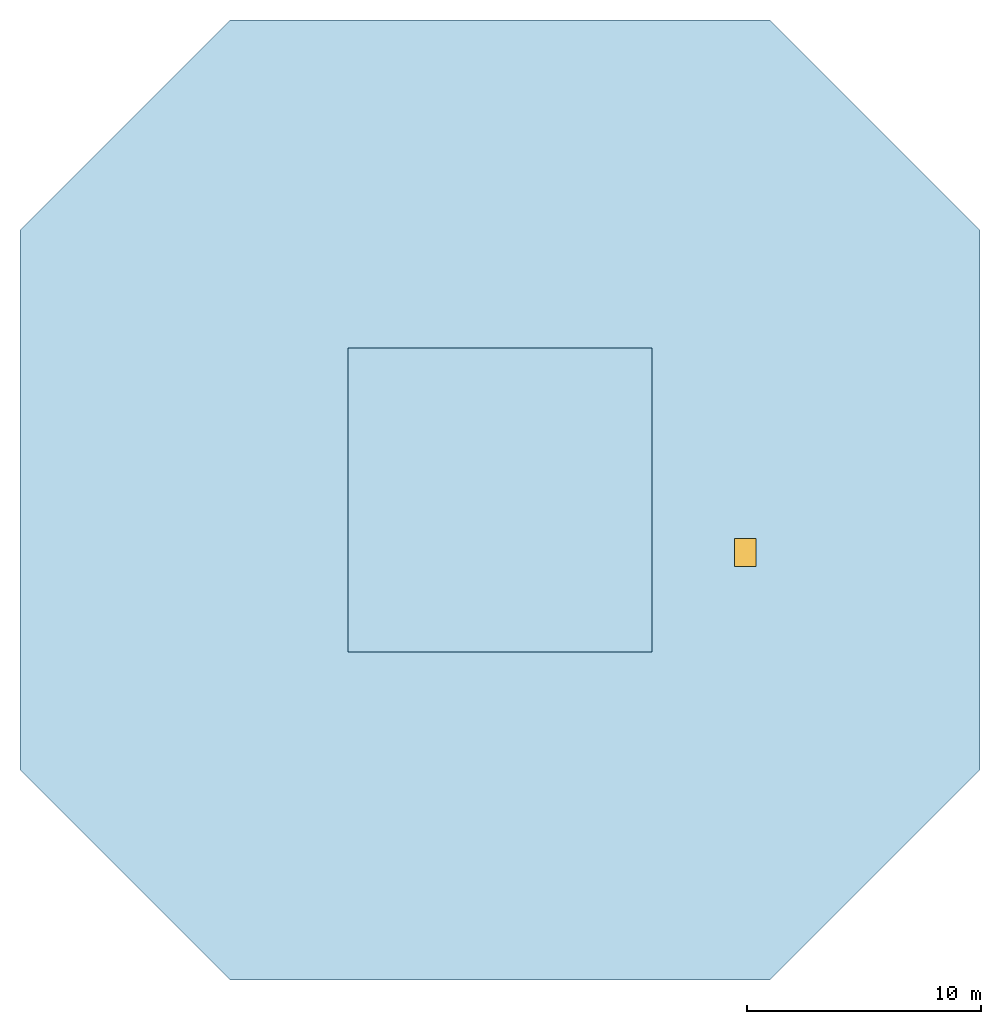
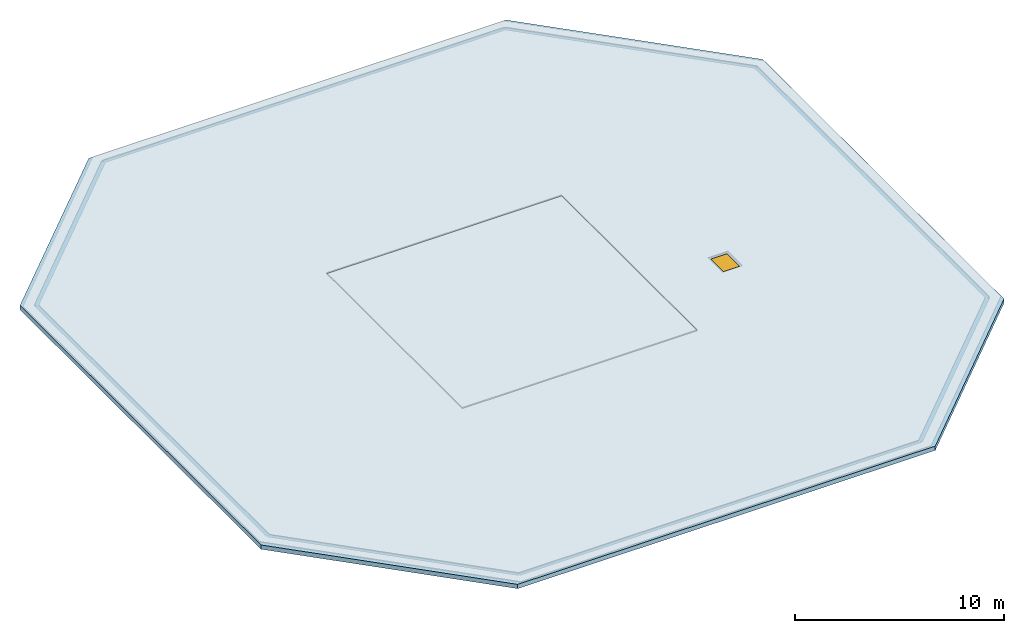
# One storey, part 1 of 2: 2 slabs, 1 window, 1 opening.
"""IFC4 building model written with IfcOpenShell, lengths in metres."""

from ifc_helpers import new_model, si_unit, direction, frame, origin, origin_2d, place, context, subcontext, project, spatial, polyline, rectangle, outline, extrude, material, layer, layer_set, type_object, element, fill, save


model = new_model("IFC4")

# Units and contexts
model_context = context("Model", 3, precision=1e-05, world=origin(), true_north=direction((0.0, 1.0)))
body_context = subcontext(model_context, "Body", "Model", "MODEL_VIEW")
ifc_project = project(units=[si_unit("LENGTHUNIT", "METRE"), si_unit("AREAUNIT", "SQUARE_METRE"), si_unit("VOLUMEUNIT", "CUBIC_METRE"), si_unit("PLANEANGLEUNIT", "RADIAN"), si_unit("MASSUNIT", "GRAM", prefix="KILO")], contexts=[model_context])

# Site, building, storey
site_placement = place(None, origin())
site = spatial("IfcSite", under=ifc_project, at=site_placement, CompositionType="ELEMENT")
building_placement = place(site_placement, origin())
building = spatial("IfcBuilding", under=site, at=building_placement, Name="Msasa Ring Tower", CompositionType="ELEMENT")
storey_placement = place(building_placement, frame((0.0, 0.0, 274.050048828125)))
storey = spatial("IfcBuildingStorey", under=building, at=storey_placement, Name="ROOF", CompositionType="ELEMENT", Elevation=274.050048828125)

# Slab, opening, window
ifc_material_1 = material(Name="Concrete C40/50", Category="concrete")
ifc_layer_1 = layer(ifc_material_1, 0.25)
ifc_layer_set_1 = layer_set([ifc_layer_1], Name="R1 LANTERN ROOF 250")
slab_type_1 = type_object("IfcSlabType", Name="R1 LANTERN ROOF 250", PredefinedType="ROOF", material=ifc_layer_set_1)
slab_1_placement = place(storey_placement, frame((0.0, 0.0, -0.25)))
slab_1 = element("IfcSlab", 1, at=slab_1_placement, inside=storey, type_object=slab_type_1, Name="Lantern roof", PredefinedType="ROOF", context=body_context, shape_type="SweptSolid", body=[
    extrude(outline(polyline([(-11.550048828125, -20.550048828125), (11.550048828125, -20.550048828125), (20.550048828125, -11.550048828125), (20.550048828125, 11.550048828125), (11.550048828125, 20.550048828125), (-11.550048828125, 20.550048828125), (-20.550048828125, 11.550048828125), (-20.550048828125, -11.550048828125), (-11.550048828125, -20.550048828125)]), holes=[polyline([(-6.5, -6.5), (6.5, -6.5), (6.5, 6.5), (-6.5, 6.5), (-6.5, -6.5)])]), origin(), (0.0, 0.0, 1.0), 0.25),
])
opening_placement = place(slab_1_placement, frame((10.5, -2.25, 0.0)))
opening = element("IfcOpeningElement", 2, at=opening_placement, cuts=slab_1, Name="Opening RH1", PredefinedType="OPENING", context=body_context, shape_type="SweptSolid", body=[
    extrude(rectangle(XDim=0.89990234375, YDim=1.199951171875, at=origin_2d()), origin(), (0.0, 0.0, 1.0), 0.25),
])
ifc_material_2 = material(Name="Galvanised steel roof hatch", Category="steel")
window_type = type_object("IfcWindowType", Name="RH1 ROOF ACCESS HATCH 900x1200", PartitioningType="SINGLE_PANEL", PredefinedType="SKYLIGHT", material=ifc_material_2)
window_placement = place(opening_placement, frame((0.0, 0.0, 0.199951171875)))
window = element("IfcWindow", 3, at=window_placement, inside=storey, type_object=window_type, Name="ROOF ACCESS HATCH", OverallHeight=1.199951171875, OverallWidth=0.89990234375, PartitioningType="SINGLE_PANEL", PredefinedType="SKYLIGHT", context=body_context, shape_type="SweptSolid", body=[
    extrude(rectangle(XDim=0.89990234375, YDim=1.199951171875, at=origin_2d()), origin(), (0.0, 0.0, 1.0), 0.050048828125),
])
fill(opening, window)

# Slab
ifc_material_3 = material(Name="Concrete C40/50", Category="concrete")
ifc_layer_2 = layer(ifc_material_3, 0.25)
ifc_layer_set_2 = layer_set([ifc_layer_2], Name="R4 LIGHT WELL ROOF 250")
slab_type_2 = type_object("IfcSlabType", Name="R4 LIGHT WELL ROOF 250", PredefinedType="ROOF", material=ifc_layer_set_2)
slab_2_placement = place(storey_placement, frame((0.0, 0.0, -0.25)))
element("IfcSlab", 4, at=slab_2_placement, inside=storey, type_object=slab_type_2, Name="Light well roof", PredefinedType="ROOF", context=body_context, shape_type="SweptSolid", body=[
    extrude(outline(polyline([(-6.5, -6.5), (6.5, -6.5), (6.5, 6.5), (-6.5, 6.5), (-6.5, -6.5)])), origin(), (0.0, 0.0, 1.0), 0.25),
])

save(model, "model.ifc")
